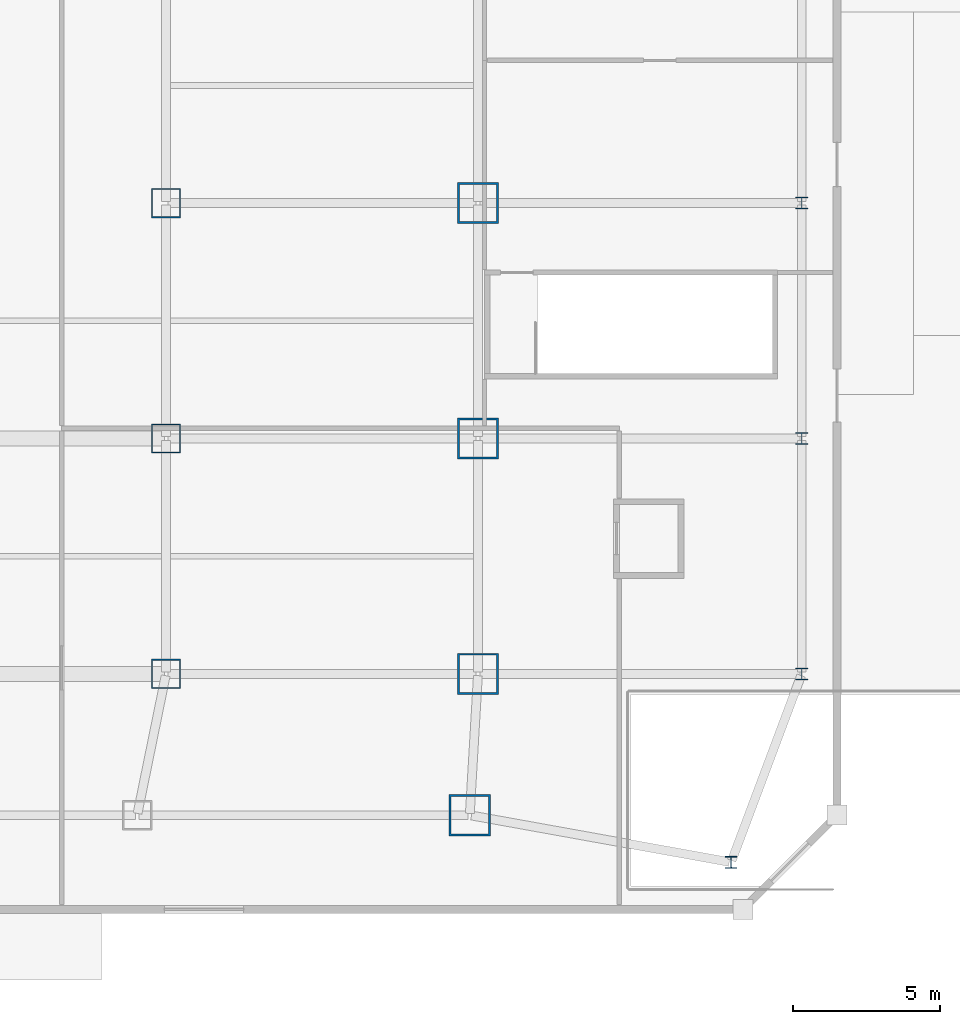
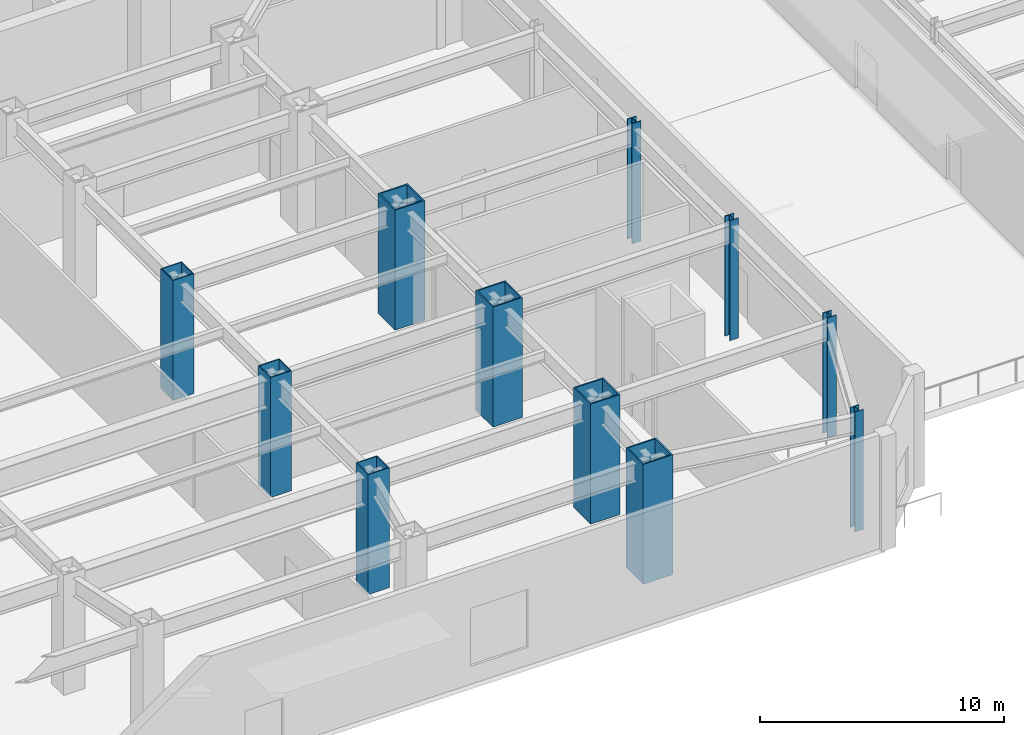
# One storey, part 2 of 23: 11 columns.
"""IFC4 building model written with IfcOpenShell, lengths in metres."""

from ifc_helpers import new_model, si_unit, direction, frame, origin, origin_2d, place, context, subcontext, project, spatial, hollow_rectangle, i_section, extrude, material, material_profile, profile_set, type_object, element, save


model = new_model("IFC4")

# Units and contexts
model_context = context("Model", 3, precision=1e-05, world=origin(), true_north=direction((0.0, 1.0)))
body_context = subcontext(model_context, "Body", "Model", "MODEL_VIEW")
ifc_project = project(units=[si_unit("LENGTHUNIT", "METRE"), si_unit("AREAUNIT", "SQUARE_METRE"), si_unit("VOLUMEUNIT", "CUBIC_METRE"), si_unit("PLANEANGLEUNIT", "RADIAN"), si_unit("MASSUNIT", "GRAM", prefix="KILO")], contexts=[model_context])

# Site, building, storey
site_placement = place(None, origin())
site = spatial("IfcSite", under=ifc_project, at=site_placement, CompositionType="ELEMENT")
building_placement = place(site_placement, origin())
building = spatial("IfcBuilding", under=site, at=building_placement, Name="Saevonmaru Cultural Tower", CompositionType="ELEMENT")
storey_placement = place(building_placement, origin())
storey = spatial("IfcBuildingStorey", under=building, at=storey_placement, Name="L00", CompositionType="ELEMENT", Elevation=0.0)

# Columns
ifc_material_1 = material(Name="Steel SM420", Category="steel")
ifc_material_profile_1 = material_profile(ifc_material_1, hollow_rectangle(XDim=1.0, YDim=1.0, WallThickness=0.044921875, at=origin_2d()), Name="BOX-1000x1000x45")
ifc_profile_set_1 = profile_set([ifc_material_profile_1], Name="Steel SM420")
column_type_1 = type_object("IfcColumnType", Name="COL-BOX-1000", PredefinedType="COLUMN", material=ifc_profile_set_1)
for number, where, z_axis, x_axis, name in (
    (1, (37.199951171875, 8.0, 0.0), (0.0, 0.0, 1.0), (1.0, 0.0, 0.0), "L00 Column PC-E2-B"),
    (2, (37.199951171875, 16.0, 0.0), (0.0, 0.0, 1.0), (1.0, 0.0, 0.0), "L00 Column PC-E2-C"),
    (3, (37.199951171875, 24.0, 0.0), (0.0, 0.0, 1.0), (1.0, 0.0, 0.0), "L00 Column PC-E2-D"),
):
    element("IfcColumn", number, at=place(storey_placement, frame(where, z_axis=z_axis, x_axis=x_axis)), inside=storey, type_object=column_type_1, Name=name, PredefinedType="COLUMN", context=body_context, shape_type="SweptSolid", body=[
        extrude(hollow_rectangle(XDim=1.0, YDim=1.0, WallThickness=0.044921875, at=origin_2d()), origin(), (0.0, 0.0, 1.0), 6.0),
    ])
ifc_material_2 = material(Name="Steel HSA600 (600 MPa)", Category="steel")
ifc_material_profile_2 = material_profile(ifc_material_2, hollow_rectangle(XDim=1.39990234375, YDim=1.39990234375, WallThickness=0.06494140625, at=origin_2d()), Name="BOX-1400x1400x65")
ifc_profile_set_2 = profile_set([ifc_material_profile_2], Name="Steel HSA600 (600 MPa)")
column_type_2 = type_object("IfcColumnType", Name="COL-BOX-1400", PredefinedType="COLUMN", material=ifc_profile_set_2)
for number, where, z_axis, x_axis, name in (
    (4, (47.52001953125, 3.199951171875, 0.0), (0.0, 0.0, 1.0), (1.0, 0.0, 0.0), "L00 Column PC-E1-A"),
    (5, (47.800048828125, 8.0, 0.0), (0.0, 0.0, 1.0), (1.0, 0.0, 0.0), "L00 Column PC-E1-B"),
    (6, (47.800048828125, 16.0, 0.0), (0.0, 0.0, 1.0), (1.0, 0.0, 0.0), "L00 Column PC-E1-C"),
    (7, (47.800048828125, 24.0, 0.0), (0.0, 0.0, 1.0), (1.0, 0.0, 0.0), "L00 Column PC-E1-D"),
):
    element("IfcColumn", number, at=place(storey_placement, frame(where, z_axis=z_axis, x_axis=x_axis)), inside=storey, type_object=column_type_2, Name=name, PredefinedType="COLUMN", context=body_context, shape_type="SweptSolid", body=[
        extrude(hollow_rectangle(XDim=1.39990234375, YDim=1.39990234375, WallThickness=0.06494140625, at=origin_2d()), origin(), (0.0, 0.0, 1.0), 6.0),
    ])
ifc_material_3 = material(Name="Steel SM355", Category="steel")
ifc_material_profile_3 = material_profile(ifc_material_3, i_section(OverallWidth=0.39990234375, OverallDepth=0.39990234375, WebThickness=0.012939453125, FlangeThickness=0.02099609375, FilletRadius=0.02197265625, at=origin_2d()), Name="H-400x400x13x21")
ifc_profile_set_3 = profile_set([ifc_material_profile_3], Name="Steel SM355")
column_type_3 = type_object("IfcColumnType", Name="COL-H-400", PredefinedType="COLUMN", material=ifc_profile_set_3)
column_placement = place(storey_placement, frame((56.39990234375, 1.60009765625, 0.0), z_axis=(0.0, 0.0, 1.0), x_axis=(1.0, 0.0, 0.0)))
element("IfcColumn", 8, at=column_placement, inside=storey, type_object=column_type_3, Name="L00 Column PC-PS-SE", PredefinedType="COLUMN", context=body_context, shape_type="SweptSolid", body=[
    extrude(i_section(OverallWidth=0.39990234375, OverallDepth=0.39990234375, WebThickness=0.012939453125, FlangeThickness=0.02099609375, FilletRadius=0.02197265625, at=origin_2d()), origin(), (0.0, 0.0, 1.0), 6.0),
])
ifc_material_profile_4 = material_profile(ifc_material_1, i_section(OverallWidth=0.419921875, OverallDepth=0.419921875, WebThickness=0.02001953125, FlangeThickness=0.034912109375, FilletRadius=0.02197265625, at=origin_2d()), Name="H-428x407x20x35")
ifc_profile_set_4 = profile_set([ifc_material_profile_4], Name="Steel SM420")
column_type_4 = type_object("IfcColumnType", Name="COL-H-428", PredefinedType="COLUMN", material=ifc_profile_set_4)
for number, where, z_axis, x_axis, name in (
    (9, (58.800048828125, 8.0, 0.0), (0.0, 0.0, 1.0), (1.0, 0.0, 0.0), "L00 Column PC-PE-B"),
    (10, (58.800048828125, 16.0, 0.0), (0.0, 0.0, 1.0), (1.0, 0.0, 0.0), "L00 Column PC-PE-C"),
    (11, (58.800048828125, 24.0, 0.0), (0.0, 0.0, 1.0), (1.0, 0.0, 0.0), "L00 Column PC-PE-D"),
):
    element("IfcColumn", number, at=place(storey_placement, frame(where, z_axis=z_axis, x_axis=x_axis)), inside=storey, type_object=column_type_4, Name=name, PredefinedType="COLUMN", context=body_context, shape_type="SweptSolid", body=[
        extrude(i_section(OverallWidth=0.419921875, OverallDepth=0.419921875, WebThickness=0.02001953125, FlangeThickness=0.034912109375, FilletRadius=0.02197265625, at=origin_2d()), origin(), (0.0, 0.0, 1.0), 6.0),
    ])

save(model, "model.ifc")
